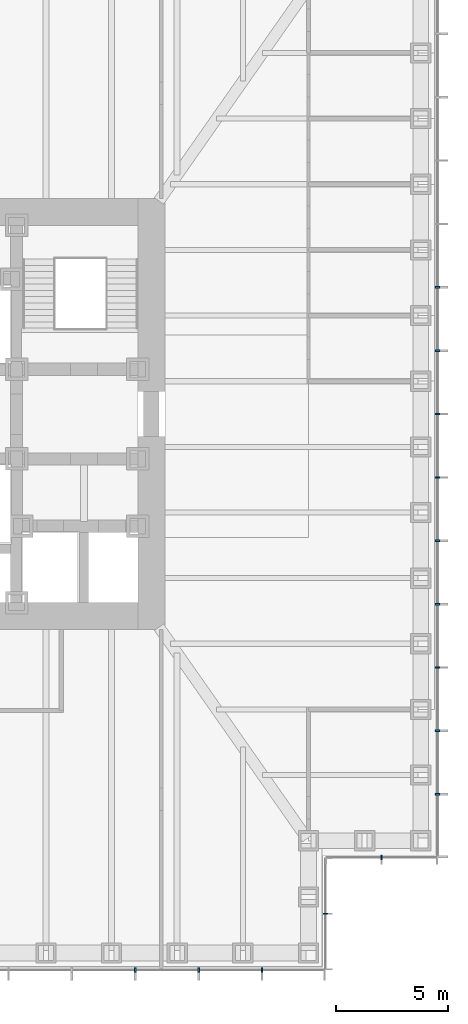
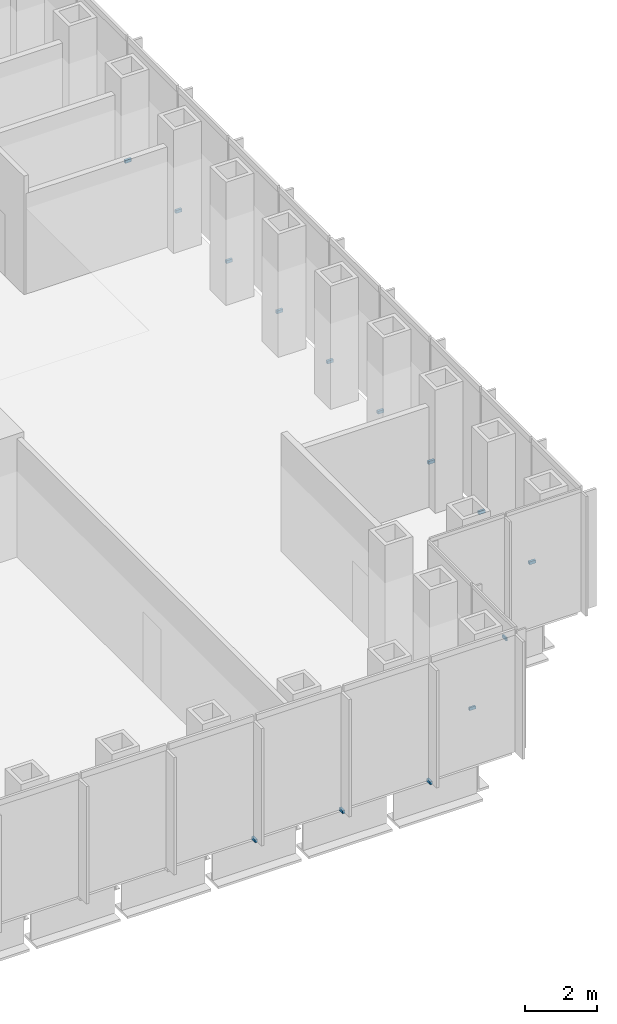
# One storey, part 14 of 17: 14 discrete accessories.
"""IFC4 building model written with IfcOpenShell, lengths in metres."""

from ifc_helpers import new_model, si_unit, direction, frame, origin, origin_2d, place, context, subcontext, project, spatial, rectangle, extrude, element, save


model = new_model("IFC4")

# Units and contexts
model_context = context("Model", 3, precision=1e-05, world=origin(), true_north=direction((0.0, 1.0)))
body_context = subcontext(model_context, "Body", "Model", "MODEL_VIEW")
ifc_project = project(units=[si_unit("LENGTHUNIT", "METRE"), si_unit("AREAUNIT", "SQUARE_METRE"), si_unit("VOLUMEUNIT", "CUBIC_METRE"), si_unit("PLANEANGLEUNIT", "RADIAN"), si_unit("MASSUNIT", "GRAM", prefix="KILO")], contexts=[model_context])

# Site, building, storey
site_placement = place(None, origin())
site = spatial("IfcSite", under=ifc_project, at=site_placement, CompositionType="ELEMENT")
building_placement = place(site_placement, origin())
building = spatial("IfcBuilding", under=site, at=building_placement, Name="Daluyong Arena Tower", CompositionType="ELEMENT")
storey_placement = place(building_placement, frame((0.0, 0.0, 55.89990234375)))
storey = spatial("IfcBuildingStorey", under=building, at=storey_placement, Name="L11", CompositionType="ELEMENT", Elevation=55.89990234375)

# Discrete accessories
for number, where, z_axis, x_axis, name in (
    (1, (67.28564453125, 55.25, -0.099853515625), (0.0, 0.0, 1.0), (1.0, 0.0, 0.0), "curtain wall L11 S anchor bracket 12"),
    (2, (70.107177734375, 55.25, -0.099853515625), (0.0, 0.0, 1.0), (1.0, 0.0, 0.0), "curtain wall L11 S anchor bracket 13"),
    (3, (72.928466796875, 55.25, -0.099853515625), (0.0, 0.0, 1.0), (1.0, 0.0, 0.0), "curtain wall L11 S anchor bracket 14"),
):
    element("IfcDiscreteAccessory", number, at=place(storey_placement, frame(where, z_axis=z_axis, x_axis=x_axis)), inside=storey, Name=name, PredefinedType="BRACKET", context=body_context, shape_type="SweptSolid", body=[
        extrude(rectangle(XDim=0.080078125, YDim=0.199951171875, at=origin_2d()), origin(), (0.0, 0.0, 1.0), 0.10009765625),
    ])
for number, where, z_axis, x_axis, name in (
    (4, (75.75, 57.75, -0.099853515625), (0.0, 0.0, 1.0), (0.0, 1.0, 0.0), "curtain wall L11 SE-E anchor bracket 2"),
    (5, (78.25, 60.25, -0.099853515625), (0.0, 0.0, 1.0), (1.0, 0.0, 0.0), "curtain wall L11 SE-S anchor bracket 2"),
):
    element("IfcDiscreteAccessory", number, at=place(storey_placement, frame(where, z_axis=z_axis, x_axis=x_axis)), inside=storey, Name=name, PredefinedType="BRACKET", context=body_context, shape_type="SweptSolid", body=[
        extrude(rectangle(XDim=0.06005859375, YDim=0.199951171875, at=origin_2d()), origin(), (0.0, 0.0, 1.0), 0.10009765625),
    ])
for number, where, z_axis, x_axis, name in (
    (6, (80.75, 63.071533203125, -0.099853515625), (0.0, 0.0, 1.0), (0.0, 1.0, 0.0), "curtain wall L11 E anchor bracket 2"),
    (7, (80.75, 65.892822265625, -0.099853515625), (0.0, 0.0, 1.0), (0.0, 1.0, 0.0), "curtain wall L11 E anchor bracket 3"),
    (8, (80.75, 68.71435546875, -0.099853515625), (0.0, 0.0, 1.0), (0.0, 1.0, 0.0), "curtain wall L11 E anchor bracket 4"),
    (9, (80.75, 71.53564453125, -0.099853515625), (0.0, 0.0, 1.0), (0.0, 1.0, 0.0), "curtain wall L11 E anchor bracket 5"),
    (10, (80.75, 74.357177734375, -0.099853515625), (0.0, 0.0, 1.0), (0.0, 1.0, 0.0), "curtain wall L11 E anchor bracket 6"),
    (11, (80.75, 77.178466796875, -0.099853515625), (0.0, 0.0, 1.0), (0.0, 1.0, 0.0), "curtain wall L11 E anchor bracket 7"),
    (12, (80.75, 80.0, -0.099853515625), (0.0, 0.0, 1.0), (0.0, 1.0, 0.0), "curtain wall L11 E anchor bracket 8"),
    (13, (80.75, 82.821533203125, -0.099853515625), (0.0, 0.0, 1.0), (0.0, 1.0, 0.0), "curtain wall L11 E anchor bracket 9"),
    (14, (80.75, 85.642822265625, -0.099853515625), (0.0, 0.0, 1.0), (0.0, 1.0, 0.0), "curtain wall L11 E anchor bracket 10"),
):
    element("IfcDiscreteAccessory", number, at=place(storey_placement, frame(where, z_axis=z_axis, x_axis=x_axis)), inside=storey, Name=name, PredefinedType="BRACKET", context=body_context, shape_type="SweptSolid", body=[
        extrude(rectangle(XDim=0.080078125, YDim=0.199951171875, at=origin_2d()), origin(), (0.0, 0.0, 1.0), 0.10009765625),
    ])

save(model, "model.ifc")
